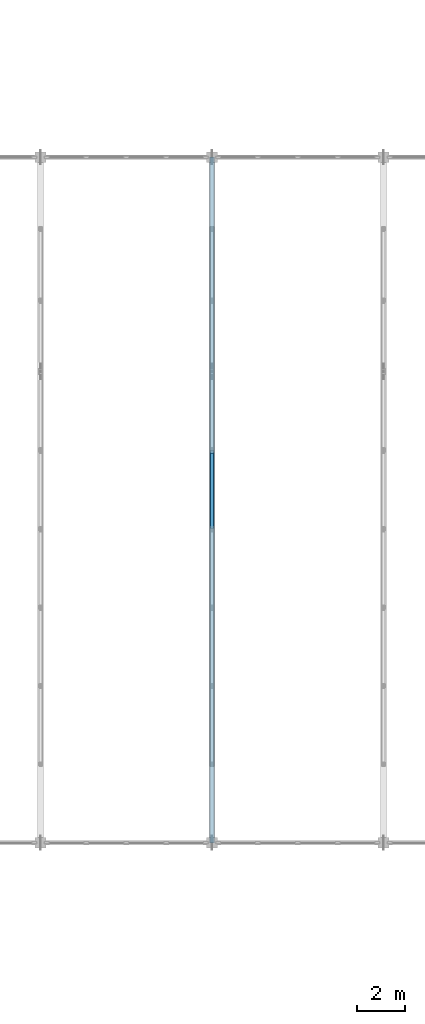
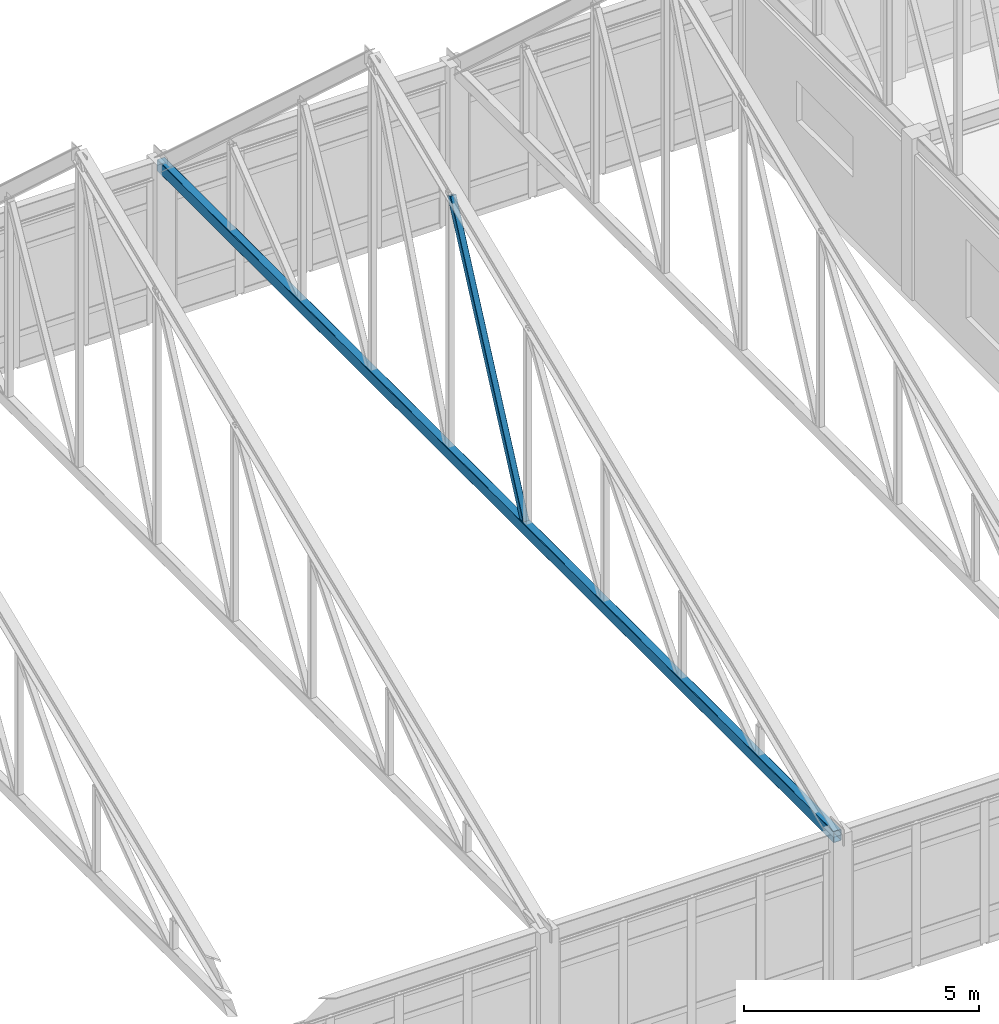
# One storey, part 27 of 136: 2 members.
"""IFC4 building model written with IfcOpenShell, lengths in metres."""

import ifcopenshell
import ifcopenshell.guid

model = None  # the IFC model being written
_history = None  # IfcOwnerHistory: only IFC2X3 demands one
_inside = {}  # id of a spatial element -> (the spatial element, [elements in it])
_under = {}  # id of a project, library or spatial element -> (it, [spatial elements below it])
_declared = {}  # id of a project -> (the project, [libraries it declares])
_typed = {}  # id of a type object -> (the type object, [elements of that type])
_made_of = {}  # id of a material, layer set ... -> (it, [elements and type objects made of it])


def new_model(schema):
    """Start an empty IFC model of exactly this schema.

    Asked for "IFC4X3", IfcOpenShell would pick the latest addendum, in which some entities
    have other attributes; the version numbers below select the first issue.
    IFC2X3 requires an IfcOwnerHistory on every rooted entity: one is made here for all.
    """
    global model, _history
    if schema == "IFC4X3":
        model = ifcopenshell.file(schema_version=(4, 3, 0, 0))
    else:
        model = ifcopenshell.file(schema=schema)
    _inside.clear()
    _under.clear()
    _declared.clear()
    _typed.clear()
    _made_of.clear()
    _history = None
    if model.schema == "IFC2X3":
        org = make("IfcOrganization", Name="unknown")
        user = make(
            "IfcPersonAndOrganization",
            ThePerson=make("IfcPerson", FamilyName="unknown"),
            TheOrganization=org,
        )
        app = make(
            "IfcApplication",
            ApplicationDeveloper=org,
            Version="unknown",
            ApplicationFullName="unknown",
            ApplicationIdentifier="unknown",
        )
        _history = make(
            "IfcOwnerHistory",
            OwningUser=user,
            OwningApplication=app,
            ChangeAction="ADDED",
            CreationDate=0,
        )
    return model


def make(cls, **values):
    """One entity of the class cls with the attributes given. An attribute that is None is left unset."""
    return model.create_entity(
        cls, **{name: value for name, value in values.items() if value is not None}
    )


def rooted(cls, **values):
    """An entity with a GlobalId (a new one), such as an element, a storey or a relation."""
    return make(cls, GlobalId=ifcopenshell.guid.new(), OwnerHistory=_history, **values)


def si_unit(unit_type, name, prefix=None):
    """IfcSIUnit, for example si_unit("LENGTHUNIT", "METRE", prefix="MILLI")."""
    return make("IfcSIUnit", UnitType=unit_type, Prefix=prefix, Name=name)


def assignment(units):
    """IfcUnitAssignment: the units of a project."""
    return None if units is None else make("IfcUnitAssignment", Units=units)


def point(xyz):
    """IfcCartesianPoint."""
    return None if xyz is None else make("IfcCartesianPoint", Coordinates=xyz)


def direction(xyz):
    """IfcDirection."""
    return None if xyz is None else make("IfcDirection", DirectionRatios=xyz)


def frame(location, z_axis=None, x_axis=None):
    """IfcAxis2Placement3D, a coordinate frame: its origin and axes. An axis left out is left unset."""
    return make(
        "IfcAxis2Placement3D",
        Location=point(location),
        Axis=direction(z_axis),
        RefDirection=direction(x_axis),
    )


def frame_2d(location, x_axis=None):
    """IfcAxis2Placement2D, a coordinate frame in the plane: its origin and x axis."""
    return make(
        "IfcAxis2Placement2D", Location=point(location), RefDirection=direction(x_axis)
    )


def origin():
    """The frame at (0, 0, 0) with its axes left unset."""
    return frame((0.0, 0.0, 0.0))


def origin_2d():
    """The frame at (0, 0) in the plane with its x axis left unset."""
    return frame_2d((0.0, 0.0))


def place(relative_to, where):
    """IfcLocalPlacement: puts the frame where relative to a parent placement (None: the world)."""
    return make(
        "IfcLocalPlacement", PlacementRelTo=relative_to, RelativePlacement=where
    )


def context(
    kind, dimensions, precision=None, world=None, true_north=None, identifier=None
):
    """IfcGeometricRepresentationContext, for example the 3D "Model" context."""
    return make(
        "IfcGeometricRepresentationContext",
        ContextIdentifier=identifier,
        ContextType=kind,
        CoordinateSpaceDimension=dimensions,
        Precision=precision,
        WorldCoordinateSystem=world,
        TrueNorth=true_north,
    )


def subcontext(parent, identifier, kind, view, scale=None):
    """IfcGeometricRepresentationSubContext, for example "Body" below "Model"."""
    return make(
        "IfcGeometricRepresentationSubContext",
        ContextIdentifier=identifier,
        ContextType=kind,
        ParentContext=parent,
        TargetScale=scale,
        TargetView=view,
    )


def project(units=None, contexts=None):
    """IfcProject with its units and contexts."""
    return rooted(
        "IfcProject",
        Name="project",
        RepresentationContexts=contexts,
        UnitsInContext=assignment(units),
    )


def spatial(cls, under=None, at=None, **own):
    """A site, building, storey or space (cls), placed at a placement, below another one or the project."""
    s = rooted(cls, ObjectPlacement=at, **own)
    if under is not None:
        _under.setdefault(under.id(), (under, []))[1].append(s)
    return s


def profile(cls, at=None, kind="AREA", **sizes):
    """A parametric profile (cls). Its sizes go by their IFC names, for example OverallWidth=200.0."""
    return make(cls, ProfileType=kind, Position=at, **sizes)


def hollow_rectangle(**sizes):
    """IfcRectangleHollowProfileDef."""
    return profile("IfcRectangleHollowProfileDef", **sizes)


def extrude(swept, where, along, depth):
    """IfcExtrudedAreaSolid: the profile swept, set in the frame where, extruded along a direction by depth."""
    return make(
        "IfcExtrudedAreaSolid",
        SweptArea=swept,
        Position=where,
        ExtrudedDirection=direction(along),
        Depth=depth,
    )


def shape(context_of_items, identifier, shape_type, items):
    """IfcShapeRepresentation: the items that make up one representation, for example the "Body"."""
    return make(
        "IfcShapeRepresentation",
        ContextOfItems=context_of_items,
        RepresentationIdentifier=identifier,
        RepresentationType=shape_type,
        Items=items,
    )


def material(Name=None, Category=None):
    """IfcMaterial."""
    return make("IfcMaterial", Name=Name, Category=Category)


def material_profile(
    of_material, cross_section, Name=None, Category=None, Priority=None
):
    """IfcMaterialProfile: a cross section and its material."""
    return make(
        "IfcMaterialProfile",
        Name=Name,
        Material=of_material,
        Profile=cross_section,
        Priority=Priority,
        Category=Category,
    )


def profile_set(profiles, Name=None, composite=None):
    """IfcMaterialProfileSet."""
    return make(
        "IfcMaterialProfileSet",
        Name=Name,
        MaterialProfiles=profiles,
        CompositeProfile=composite,
    )


def made_of(thing, what):
    """Note that an element or type object is made of a material, layer set ...; save() writes the relation."""
    if what is not None:
        _made_of.setdefault(what.id(), (what, []))[1].append(thing)
    return thing


def type_object(cls, material=None, **own):
    """A type object (cls), such as IfcWallType, which elements share."""
    return made_of(rooted(cls, **own), material)


def element(
    cls,
    number,
    at=None,
    inside=None,
    cuts=None,
    type_object=None,
    material=None,
    context=None,
    identifier="Body",
    shape_type=None,
    held_by="IfcProductDefinitionShape",
    body=None,
    shapes=None,
    **own,
):
    """One element of the class cls, such as IfcWall. Its Tag is "e" and its number.

    at: its placement. inside: the storey or other place that contains it. cuts: it is an
    opening in that element (IfcRelVoidsElement). A single representation is given by context,
    identifier, shape_type and body (its items); several are given by shapes. held_by: the class
    of the entity that holds the representations. save() writes the other relations.
    """
    e = rooted(cls, Tag="e%d" % number, ObjectPlacement=at, **own)
    if body is not None:
        shapes = [shape(context, identifier, shape_type, body)]
    if shapes is not None:
        e.Representation = make(held_by, Representations=shapes)
    if inside is not None:
        _inside.setdefault(inside.id(), (inside, []))[1].append(e)
    if cuts is not None:
        rooted(
            "IfcRelVoidsElement", RelatingBuildingElement=cuts, RelatedOpeningElement=e
        )
    if type_object is not None:
        _typed.setdefault(type_object.id(), (type_object, []))[1].append(e)
    return made_of(e, material)


def aggregate(whole, parts):
    """IfcRelAggregates: a whole, such as a stair, and the parts it consists of."""
    return rooted("IfcRelAggregates", RelatingObject=whole, RelatedObjects=parts)


def save(model, path):
    """Write the relations noted so far, then the file.

    IfcRelAggregates (storeys below a building ...), IfcRelContainedInSpatialStructure (elements
    in a storey), IfcRelDefinesByType, IfcRelAssociatesMaterial and IfcRelDeclares: one each for
    every whole, place, type object, material and project.
    """
    for whole, parts in _under.values():
        aggregate(whole, parts)
    for where, things in _inside.values():
        rooted(
            "IfcRelContainedInSpatialStructure",
            RelatedElements=things,
            RelatingStructure=where,
        )
    for kind, things in _typed.values():
        rooted("IfcRelDefinesByType", RelatedObjects=things, RelatingType=kind)
    for what, things in _made_of.values():
        rooted("IfcRelAssociatesMaterial", RelatedObjects=things, RelatingMaterial=what)
    for by, libraries in _declared.values():
        rooted("IfcRelDeclares", RelatingContext=by, RelatedDefinitions=libraries)
    model.write(path)


model = new_model("IFC4")

# Units and contexts
model_context = context("Model", 3, precision=1e-05, world=origin(), true_north=direction((0.0, 1.0)))
body_context = subcontext(model_context, "Body", "Model", "MODEL_VIEW")
ifc_project = project(units=[si_unit("LENGTHUNIT", "METRE"), si_unit("AREAUNIT", "SQUARE_METRE"), si_unit("VOLUMEUNIT", "CUBIC_METRE"), si_unit("PLANEANGLEUNIT", "RADIAN"), si_unit("MASSUNIT", "GRAM", prefix="KILO")], contexts=[model_context])

# Site, building, storey
site_placement = place(None, origin())
site = spatial("IfcSite", under=ifc_project, at=site_placement, CompositionType="ELEMENT")
building_placement = place(site_placement, origin())
building = spatial("IfcBuilding", under=site, at=building_placement, Name="Koriwan Promenade Central Fire Station", CompositionType="ELEMENT")
storey_placement = place(building_placement, frame((0.0, 0.0, 5.39990234375)))
storey = spatial("IfcBuildingStorey", under=building, at=storey_placement, Name="L01", CompositionType="ELEMENT", Elevation=5.39990234375)

# Members
ifc_material = material(Name="Steel ASTM A500 Grade C", Category="steel")
ifc_material_profile_1 = material_profile(ifc_material, hollow_rectangle(XDim=0.199951171875, YDim=0.300048828125, WallThickness=0.011962890625, InnerFilletRadius=0.011962890625, OuterFilletRadius=0.02392578125, at=origin_2d()), Name="HSS300x200x12")
ifc_profile_set_1 = profile_set([ifc_material_profile_1], Name="Steel ASTM A500 Grade C")
member_type_1 = type_object("IfcMemberType", Name="Member_CHORD_HSS300x200x12", PredefinedType="CHORD", material=ifc_profile_set_1)
member_1_placement = place(storey_placement, frame((86.39990234375, 43.199951171875, 4.02001953125), z_axis=(0.0, 1.0, 0.0), x_axis=(-1.0, 0.0, 0.0)))
element("IfcMember", 1, at=member_1_placement, inside=storey, type_object=member_type_1, Name="TR_V1_05 bottom tie chord", PredefinedType="CHORD", context=body_context, shape_type="SweptSolid", body=[
    extrude(hollow_rectangle(XDim=0.199951171875, YDim=0.300048828125, WallThickness=0.011962890625, InnerFilletRadius=0.011962890625, OuterFilletRadius=0.02392578125, at=origin_2d()), origin(), (0.0, 0.0, 1.0), 28.800048828125),
])
ifc_material_profile_2 = material_profile(ifc_material, hollow_rectangle(XDim=0.14990234375, YDim=0.14990234375, WallThickness=0.008056640625, InnerFilletRadius=0.008056640625, OuterFilletRadius=0.01611328125, at=origin_2d()), Name="HSS150x150x8")
ifc_profile_set_2 = profile_set([ifc_material_profile_2], Name="Steel ASTM A500 Grade C")
member_type_2 = type_object("IfcMemberType", Name="Member_STRUT_HSS150x150x8", PredefinedType="STRUT", material=ifc_profile_set_2)
member_2_placement = place(storey_placement, frame((86.39990234375, 56.47998046875, 4.070068359375), z_axis=(0.0, 0.426803552064, 0.904344363583), x_axis=(-1.0, 0.0, 0.0)))
element("IfcMember", 2, at=member_2_placement, inside=storey, type_object=member_type_2, Name="TR_V1_05 web diagonal 5", PredefinedType="STRUT", context=body_context, shape_type="SweptSolid", body=[
    extrude(hollow_rectangle(XDim=0.14990234375, YDim=0.14990234375, WallThickness=0.008056640625, InnerFilletRadius=0.008056640625, OuterFilletRadius=0.01611328125, at=origin_2d()), origin(), (0.0, 0.0, 1.0), 7.357421875),
])

save(model, "model.ifc")
